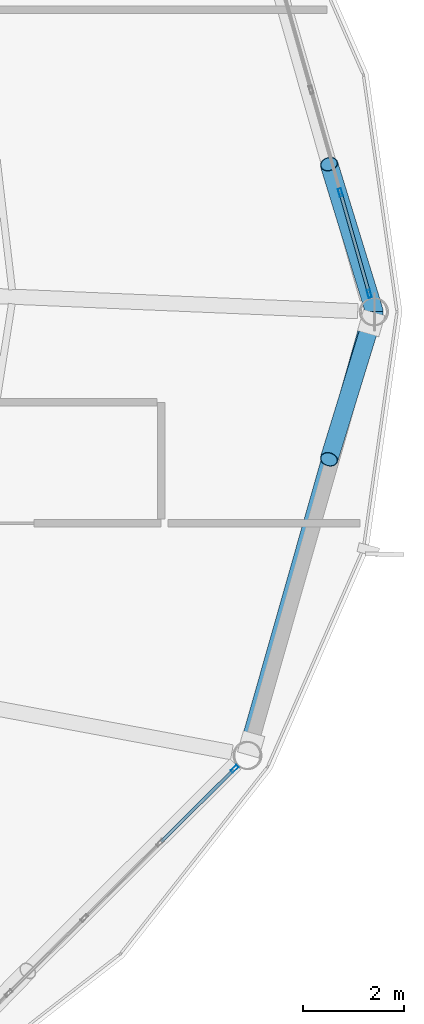
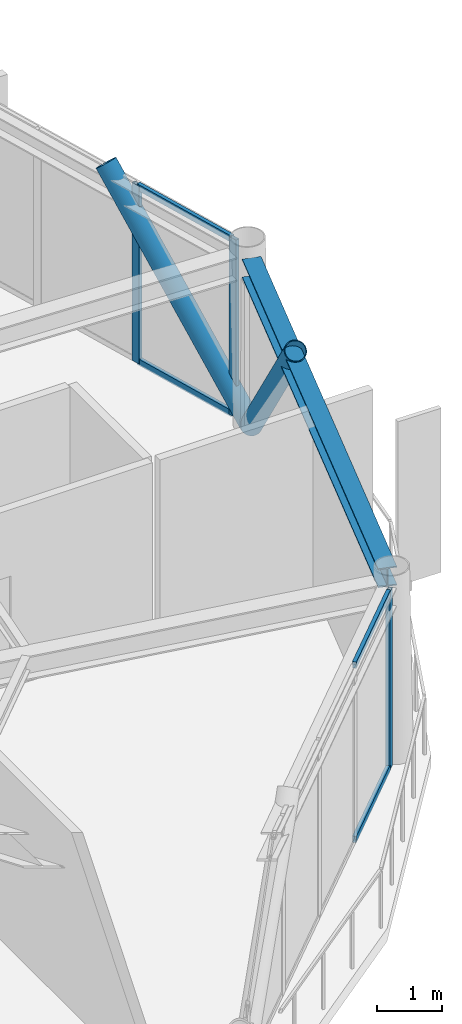
# One storey, part 14 of 24: 9 members, 1 beam, 2 elements without a shape of their own.
"""IFC4 building model written with IfcOpenShell, lengths in metres."""

from ifc_helpers import new_model, si_unit, direction, frame, origin, origin_2d, place, context, subcontext, project, spatial, hollow_rectangle, hollow_circle, i_section, extrude, material, layer, layer_set, material_profile, profile_set, type_object, element, aggregate, save


model = new_model("IFC4")

# Units and contexts
model_context = context("Model", 3, precision=1e-05, world=origin(), true_north=direction((0.0, 1.0)))
body_context = subcontext(model_context, "Body", "Model", "MODEL_VIEW")
ifc_project = project(units=[si_unit("LENGTHUNIT", "METRE"), si_unit("AREAUNIT", "SQUARE_METRE"), si_unit("VOLUMEUNIT", "CUBIC_METRE"), si_unit("PLANEANGLEUNIT", "RADIAN"), si_unit("MASSUNIT", "GRAM", prefix="KILO")], contexts=[model_context])

# Site, building, storey
site_placement = place(None, origin())
site = spatial("IfcSite", under=ifc_project, at=site_placement, CompositionType="ELEMENT")
building_placement = place(site_placement, origin())
building = spatial("IfcBuilding", under=site, at=building_placement, Name="Varnakorn Sky Granary", CompositionType="ELEMENT")
storey_placement = place(building_placement, frame((0.0, 0.0, 281.39990234375)))
storey = spatial("IfcBuildingStorey", under=building, at=storey_placement, Name="L72", CompositionType="ELEMENT", Elevation=281.39990234375)

# Beam
ifc_material_1 = material(Name="Steel S355JR", Category="steel")
ifc_material_profile_1 = material_profile(ifc_material_1, i_section(OverallWidth=0.300048828125, OverallDepth=0.360107421875, WebThickness=0.012451171875, FlangeThickness=0.0224609375, at=origin_2d()), Name="HE 360 B")
ifc_profile_set_1 = profile_set([ifc_material_profile_1], Name="Steel S355JR")
beam_type = type_object("IfcBeamType", Name="BM-SPD-Z5", PredefinedType="SPANDREL", material=ifc_profile_set_1)
beam_placement = place(storey_placement, frame((20.236328125, -8.545166015625, 3.18017578125), z_axis=(0.273710976677, 0.961811988512, 0.0), x_axis=(-0.961811988512, 0.273710976677, 0.0)))
element("IfcBeam", 1, at=beam_placement, inside=storey, type_object=beam_type, Name="Perimeter Spandrel Ring Beam RB12 L72", PredefinedType="SPANDREL", context=body_context, shape_type="SweptSolid", body=[
    extrude(i_section(OverallWidth=0.300048828125, OverallDepth=0.360107421875, WebThickness=0.012451171875, FlangeThickness=0.0224609375, at=origin_2d()), origin(), (0.0, 0.0, 1.0), 8.619873046875),
])

# Curtain wall, members
ifc_material_2 = material(Name="Anodised Bronze Aluminium Alloy 6063-T6", Category="aluminium")
ifc_layer = layer(ifc_material_2, 0.159912109375, Name="Anodised Bronze Aluminium Alloy 6063-T6")
ifc_layer_set = layer_set([ifc_layer], Name="Anodised Bronze Aluminium Alloy 6063-T6")
curtain_wall_type = type_object("IfcCurtainWallType", Name="CW-OFF-1", PredefinedType="USERDEFINED", material=ifc_layer_set)
curtain_wall_1_placement = place(storey_placement, origin())
curtain_wall_1 = element("IfcCurtainWall", 2, at=curtain_wall_1_placement, inside=storey, type_object=curtain_wall_type, Name="Unitised Curtain Wall CW6 CW-L72-B01", ObjectType="CURTAIN WALL", PredefinedType="USERDEFINED")
ifc_material_profile_2 = material_profile(ifc_material_2, hollow_rectangle(XDim=0.06494140625, YDim=0.159912109375, WallThickness=0.00341796875, at=origin_2d()), Name="ALU MULL 65x160")
ifc_profile_set_2 = profile_set([ifc_material_profile_2], Name="Anodised Bronze Aluminium Alloy 6063-T6")
member_type_1 = type_object("IfcMemberType", Name="CW-OFF-1-MULL", PredefinedType="MULLION", material=ifc_profile_set_2)
member_1_placement = place(storey_placement, frame((22.060302734375, 2.367431640625, 0.0), z_axis=(0.0, 0.0, 1.0), x_axis=(0.961698903399, 0.274108042934, 0.0)))
member_1 = element("IfcMember", 3, at=member_1_placement, type_object=member_type_1, Name="CW6 mullion 4", PredefinedType="MULLION", context=body_context, shape_type="SweptSolid", body=[
    extrude(hollow_rectangle(XDim=0.06494140625, YDim=0.159912109375, WallThickness=0.00341796875, at=origin_2d()), origin(), (0.0, 0.0, 1.0), 3.360107421875),
])
member_2_placement = place(storey_placement, frame((22.633056640625, 0.357666015625, 0.0), z_axis=(0.0, 0.0, 1.0), x_axis=(0.961698903399, 0.274108042934, 0.0)))
member_2 = element("IfcMember", 4, at=member_2_placement, type_object=member_type_1, Name="CW6 mullion 5", PredefinedType="MULLION", context=body_context, shape_type="SweptSolid", body=[
    extrude(hollow_rectangle(XDim=0.06494140625, YDim=0.159912109375, WallThickness=0.00341796875, at=origin_2d()), origin(), (0.0, 0.0, 1.0), 3.360107421875),
])

# Curtain wall, member
curtain_wall_2_placement = place(storey_placement, origin())
curtain_wall_2 = element("IfcCurtainWall", 5, at=curtain_wall_2_placement, inside=storey, type_object=curtain_wall_type, Name="Unitised Curtain Wall CW6 CW-L72-B11", ObjectType="CURTAIN WALL", PredefinedType="USERDEFINED")
member_3_placement = place(storey_placement, frame((19.9580078125, -9.07861328125, 0.0), z_axis=(0.0, 0.0, 1.0), x_axis=(0.704761759046, -0.709444052048, 0.0)))
member_3 = element("IfcMember", 6, at=member_3_placement, type_object=member_type_1, Name="CW6 mullion 1", PredefinedType="MULLION", context=body_context, shape_type="SweptSolid", body=[
    extrude(hollow_rectangle(XDim=0.06494140625, YDim=0.159912109375, WallThickness=0.00341796875, at=origin_2d()), origin(), (0.0, 0.0, 1.0), 3.360107421875),
])

# Member
ifc_material_profile_3 = material_profile(ifc_material_2, hollow_rectangle(XDim=0.06494140625, YDim=0.1201171875, WallThickness=0.00341796875, at=origin_2d()), Name="ALU TRAN 65x120")
ifc_profile_set_3 = profile_set([ifc_material_profile_3], Name="Anodised Bronze Aluminium Alloy 6063-T6")
member_type_2 = type_object("IfcMemberType", Name="CW-OFF-1-TRAN", PredefinedType="USERDEFINED", material=ifc_profile_set_3)
member_4_placement = place(storey_placement, frame((22.069091796875, 2.336181640625, 0.03271484375), z_axis=(0.27406813679, -0.961710276745, 0.0), x_axis=(0.961710276745, 0.27406813679, 0.0)))
member_4 = element("IfcMember", 7, at=member_4_placement, type_object=member_type_2, Name="CW6 transom 4.1", ObjectType="TRANSOM", PredefinedType="USERDEFINED", context=body_context, shape_type="SweptSolid", body=[
    extrude(hollow_rectangle(XDim=0.06494140625, YDim=0.1201171875, WallThickness=0.00341796875, at=origin_2d()), origin(), (0.0, 0.0, 1.0), 2.02490234375),
])

member_5_placement = place(storey_placement, frame((22.069091796875, 2.336181640625, 3.32763671875), z_axis=(0.27406813679, -0.961710276745, 0.0), x_axis=(0.961710276745, 0.27406813679, 0.0)))
member_5 = element("IfcMember", 8, at=member_5_placement, type_object=member_type_2, Name="CW6 transom 4.2", ObjectType="TRANSOM", PredefinedType="USERDEFINED", context=body_context, shape_type="SweptSolid", body=[
    extrude(hollow_rectangle(XDim=0.06494140625, YDim=0.1201171875, WallThickness=0.00341796875, at=origin_2d()), origin(), (0.0, 0.0, 1.0), 2.02490234375),
])

aggregate(curtain_wall_1, [member_1, member_2, member_4, member_5])

member_6_placement = place(storey_placement, frame((19.93505859375, -9.1015625, 0.03271484375), z_axis=(-0.709456854507, -0.704748871296, 0.0), x_axis=(0.704748871296, -0.709456854507, 0.0)))
member_6 = element("IfcMember", 9, at=member_6_placement, type_object=member_type_2, Name="CW6 transom 1.1", ObjectType="TRANSOM", PredefinedType="USERDEFINED", context=body_context, shape_type="SweptSolid", body=[
    extrude(hollow_rectangle(XDim=0.06494140625, YDim=0.1201171875, WallThickness=0.00341796875, at=origin_2d()), origin(), (0.0, 0.0, 1.0), 2.0224609375),
])

member_7_placement = place(storey_placement, frame((19.93505859375, -9.1015625, 3.32763671875), z_axis=(-0.709456854507, -0.704748871296, 0.0), x_axis=(0.704748871296, -0.709456854507, 0.0)))
member_7 = element("IfcMember", 10, at=member_7_placement, type_object=member_type_2, Name="CW6 transom 1.2", ObjectType="TRANSOM", PredefinedType="USERDEFINED", context=body_context, shape_type="SweptSolid", body=[
    extrude(hollow_rectangle(XDim=0.06494140625, YDim=0.1201171875, WallThickness=0.00341796875, at=origin_2d()), origin(), (0.0, 0.0, 1.0), 2.0224609375),
])

aggregate(curtain_wall_2, [member_3, member_6, member_7])

# Members
ifc_material_3 = material(Name="Steel S460M", Category="steel")
ifc_material_profile_4 = material_profile(ifc_material_3, hollow_circle(Radius=0.177734375, WallThickness=0.01416015625, at=origin_2d()), Name="CHS 355.6x14")
ifc_profile_set_4 = profile_set([ifc_material_profile_4], Name="Steel S460M")
member_type_3 = type_object("IfcMemberType", Name="MB-DIAG-T5", PredefinedType="BRACE", material=ifc_profile_set_4)
for number, where, z_axis, x_axis, name in (
    (11, (22.735107421875, 0.0, 0.0), (-0.194064201263, 0.631155201402, 0.750987481608), (-0.955837477394, -0.293895758406, 0.0), "Perimeter CHS Diagrid Brace DG01 L72"),
    (12, (22.735107421875, 0.0, 0.0), (-0.194064201263, -0.631155201402, 0.750987481608), (0.955837477394, -0.293895758406, 0.0), "Perimeter CHS Diagrid Brace DG12 L72"),
):
    element("IfcMember", number, at=place(storey_placement, frame(where, z_axis=z_axis, x_axis=x_axis)), inside=storey, type_object=member_type_3, Name=name, PredefinedType="BRACE", context=body_context, shape_type="SweptSolid", body=[
        extrude(hollow_circle(Radius=0.177734375, WallThickness=0.01416015625, at=origin_2d()), origin(), (0.0, 0.0, 1.0), 4.647216796875),
    ])

save(model, "model.ifc")
